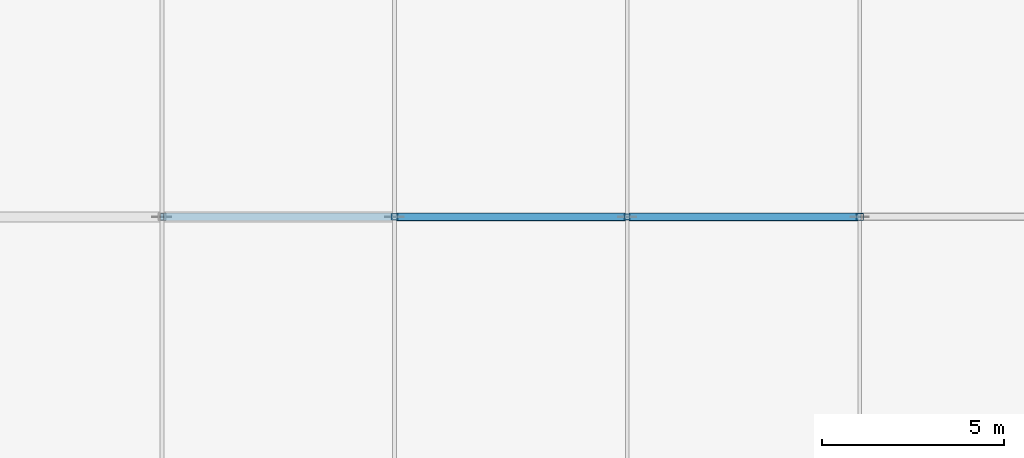
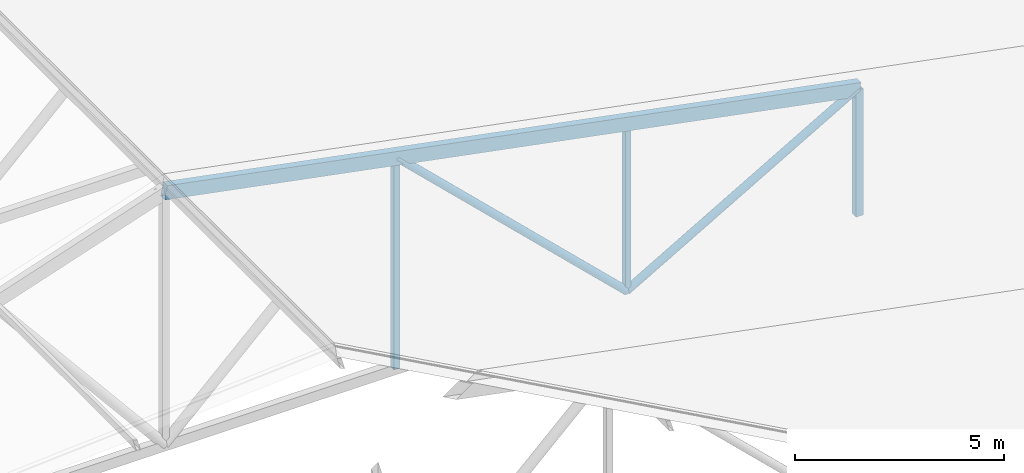
# One storey, part 53 of 200: 6 members.
"""IFC4 building model written with IfcOpenShell, lengths in metres."""

from ifc_helpers import new_model, si_unit, direction, frame, origin, origin_2d, place, context, subcontext, project, spatial, hollow_rectangle, hollow_circle, extrude, material, material_profile, profile_set, type_object, element, save


model = new_model("IFC4")

# Units and contexts
model_context = context("Model", 3, precision=1e-05, world=origin(), true_north=direction((0.0, 1.0)))
body_context = subcontext(model_context, "Body", "Model", "MODEL_VIEW")
ifc_project = project(units=[si_unit("LENGTHUNIT", "METRE"), si_unit("AREAUNIT", "SQUARE_METRE"), si_unit("VOLUMEUNIT", "CUBIC_METRE"), si_unit("PLANEANGLEUNIT", "RADIAN"), si_unit("MASSUNIT", "GRAM", prefix="KILO")], contexts=[model_context])

# Site, building, storey
site_placement = place(None, origin())
site = spatial("IfcSite", under=ifc_project, at=site_placement, CompositionType="ELEMENT")
building_placement = place(site_placement, origin())
building = spatial("IfcBuilding", under=site, at=building_placement, Name="Vondelvale Polytechnic", CompositionType="ELEMENT")
storey_placement = place(building_placement, frame((0.0, 0.0, 13.800048828125)))
storey = spatial("IfcBuildingStorey", under=building, at=storey_placement, Name="L03", CompositionType="ELEMENT", Elevation=13.800048828125)

# Members
ifc_material = material(Name="Steel C350L0 (fy = 350 MPa)", Category="steel")
ifc_material_profile_1 = material_profile(ifc_material, hollow_circle(Radius=0.109619140625, WallThickness=0.00830078125, at=origin_2d()), Name="219.1x8.2CHS")
ifc_profile_set_1 = profile_set([ifc_material_profile_1], Name="Steel C350L0 (fy = 350 MPa)")
member_type_1 = type_object("IfcMemberType", Name="ROOF TRUSS BRACE 219CHS", PredefinedType="BRACE", material=ifc_profile_set_1)
member_1_placement = place(storey_placement, frame((16.0, 91.800048828125, 5.74658203125), z_axis=(0.720102098263, 0.0, -0.69386812009), x_axis=(0.0, 1.0, 0.0)))
element("IfcMember", 1, at=member_1_placement, inside=storey, type_object=member_type_1, Name="ROOF TRUSS TR-05 web diagonal 4", PredefinedType="BRACE", context=body_context, shape_type="SweptSolid", body=[
    extrude(hollow_circle(Radius=0.109619140625, WallThickness=0.00830078125, at=origin_2d()), origin(), (0.0, 0.0, 1.0), 8.887451171875),
])
member_2_placement = place(storey_placement, frame((22.39990234375, 91.800048828125, -0.420166015625), z_axis=(0.865728347066, 0.0, 0.50051416472), x_axis=(0.0, 1.0, 0.0)))
element("IfcMember", 2, at=member_2_placement, inside=storey, type_object=member_type_1, Name="ROOF TRUSS TR-05 web diagonal 5", PredefinedType="BRACE", context=body_context, shape_type="SweptSolid", body=[
    extrude(hollow_circle(Radius=0.109619140625, WallThickness=0.00830078125, at=origin_2d()), origin(), (0.0, 0.0, 1.0), 7.392822265625),
])
ifc_material_profile_2 = material_profile(ifc_material, hollow_rectangle(XDim=0.14990234375, YDim=0.14990234375, WallThickness=0.006103515625, at=origin_2d()), Name="150x150x6.0SHS")
ifc_profile_set_2 = profile_set([ifc_material_profile_2], Name="Steel C350L0 (fy = 350 MPa)")
member_type_2 = type_object("IfcMemberType", Name="ROOF TRUSS POST 150SHS", PredefinedType="POST", material=ifc_profile_set_2)
member_3_placement = place(storey_placement, frame((22.39990234375, 91.800048828125, -0.420166015625), z_axis=(0.0, 0.0, 1.0), x_axis=(1.0, 0.0, 0.0)))
element("IfcMember", 3, at=member_3_placement, inside=storey, type_object=member_type_2, Name="ROOF TRUSS TR-05 vertical post 4", PredefinedType="POST", context=body_context, shape_type="SweptSolid", body=[
    extrude(hollow_rectangle(XDim=0.14990234375, YDim=0.14990234375, WallThickness=0.006103515625, at=origin_2d()), origin(), (0.0, 0.0, 1.0), 4.933349609375),
])
ifc_material_profile_3 = material_profile(ifc_material, hollow_rectangle(XDim=0.175048828125, YDim=0.175048828125, WallThickness=0.006103515625, at=origin_2d()), Name="175x175x6.0SHS")
ifc_profile_set_3 = profile_set([ifc_material_profile_3], Name="Steel C350L0 (fy = 350 MPa)")
member_type_3 = type_object("IfcMemberType", Name="ROOF TRUSS POST 175SHS", PredefinedType="POST", material=ifc_profile_set_3)
member_4_placement = place(storey_placement, frame((16.0, 91.800048828125, -0.420166015625), z_axis=(0.0, 0.0, 1.0), x_axis=(1.0, 0.0, 0.0)))
element("IfcMember", 4, at=member_4_placement, inside=storey, type_object=member_type_3, Name="ROOF TRUSS TR-05 vertical post 3", PredefinedType="POST", context=body_context, shape_type="SweptSolid", body=[
    extrude(hollow_rectangle(XDim=0.175048828125, YDim=0.175048828125, WallThickness=0.006103515625, at=origin_2d()), origin(), (0.0, 0.0, 1.0), 6.166748046875),
])
ifc_material_profile_4 = material_profile(ifc_material, hollow_rectangle(XDim=0.199951171875, YDim=0.199951171875, WallThickness=0.009033203125, at=origin_2d()), Name="200x200x9.0SHS")
ifc_profile_set_4 = profile_set([ifc_material_profile_4], Name="Steel C350L0 (fy = 350 MPa)")
member_type_4 = type_object("IfcMemberType", Name="ROOF TRUSS POST 200SHS", PredefinedType="POST", material=ifc_profile_set_4)
member_5_placement = place(storey_placement, frame((28.800048828125, 91.800048828125, -0.420166015625), z_axis=(0.0, 0.0, 1.0), x_axis=(1.0, 0.0, 0.0)))
element("IfcMember", 5, at=member_5_placement, inside=storey, type_object=member_type_4, Name="ROOF TRUSS TR-05 vertical post 5", PredefinedType="POST", context=body_context, shape_type="SweptSolid", body=[
    extrude(hollow_rectangle(XDim=0.199951171875, YDim=0.199951171875, WallThickness=0.009033203125, at=origin_2d()), origin(), (0.0, 0.0, 1.0), 3.7001953125),
])
ifc_material_profile_5 = material_profile(ifc_material, hollow_rectangle(XDim=0.199951171875, YDim=0.39990234375, WallThickness=0.010009765625, at=origin_2d()), Name="400x200x10.0RHS")
ifc_profile_set_5 = profile_set([ifc_material_profile_5], Name="Steel C350L0 (fy = 350 MPa)")
member_type_5 = type_object("IfcMemberType", Name="ROOF TRUSS TOP CHORD 400RHS", PredefinedType="CHORD", material=ifc_profile_set_5)
member_6_placement = place(storey_placement, frame((9.60009765625, 91.800048828125, 6.97998046875), z_axis=(0.981933791982, 0.0, -0.189224808533), x_axis=(0.0, 1.0, 0.0)))
element("IfcMember", 6, at=member_6_placement, inside=storey, type_object=member_type_5, Name="ROOF TRUSS TR-05 top chord 3", PredefinedType="CHORD", context=body_context, shape_type="SweptSolid", body=[
    extrude(hollow_rectangle(XDim=0.199951171875, YDim=0.39990234375, WallThickness=0.010009765625, at=origin_2d()), origin(), (0.0, 0.0, 1.0), 19.55322265625),
])

save(model, "model.ifc")
